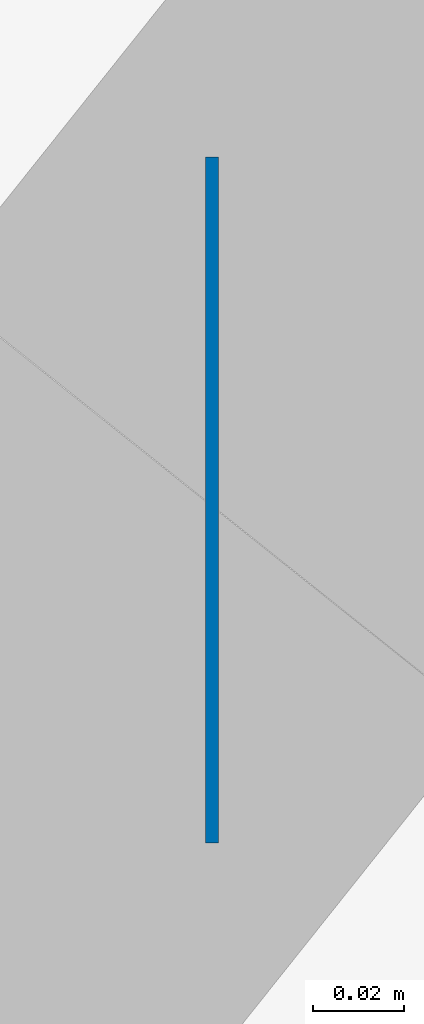
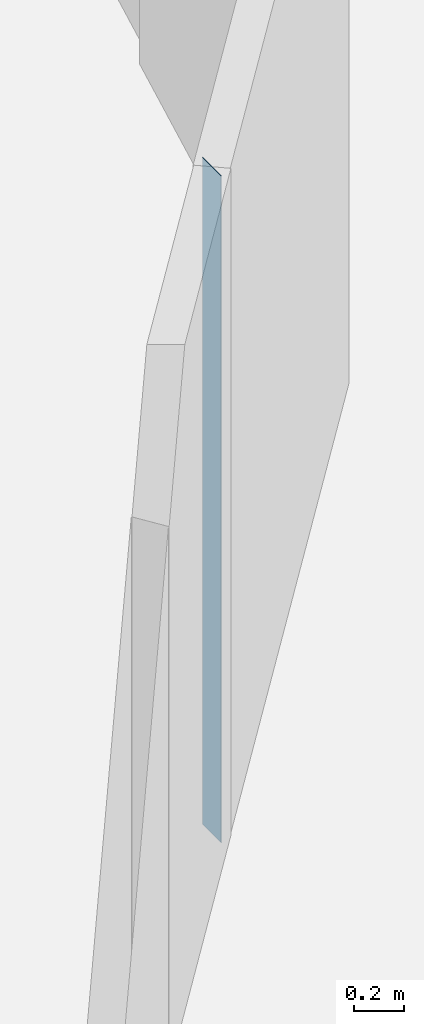
# One storey, part 4 of 12: 1 wall.
"""IFC4 building model written with IfcOpenShell, lengths in metres."""

from ifc_helpers import new_model, si_unit, direction, frame, frame_2d, origin, place, context, subcontext, project, spatial, rectangle, extrude, material, layer, layer_set, type_object, element, save


model = new_model("IFC4")

# Units and contexts
model_context = context("Model", 3, precision=1e-05, world=origin(), true_north=direction((0.0, 1.0)))
body_context = subcontext(model_context, "Body", "Model", "MODEL_VIEW")
ifc_project = project(units=[si_unit("LENGTHUNIT", "METRE"), si_unit("AREAUNIT", "SQUARE_METRE"), si_unit("VOLUMEUNIT", "CUBIC_METRE"), si_unit("PLANEANGLEUNIT", "RADIAN"), si_unit("MASSUNIT", "GRAM", prefix="KILO")], contexts=[model_context])

# Site, building, storey
site_placement = place(None, origin())
site = spatial("IfcSite", under=ifc_project, at=site_placement, CompositionType="ELEMENT")
building_placement = place(site_placement, origin())
building = spatial("IfcBuilding", under=site, at=building_placement, Name="Tracery Tower", CompositionType="ELEMENT")
storey_placement = place(building_placement, frame((0.0, 0.0, 241.800048828125)))
storey = spatial("IfcBuildingStorey", under=building, at=storey_placement, Name="L62", CompositionType="ELEMENT", Elevation=241.800048828125)

# Wall
ifc_material = material(Name="Plasterboard on steel studs", Category="steel")
ifc_layer = layer(ifc_material, 0.14990234375)
ifc_layer_set = layer_set([ifc_layer], Name="Partition 150 corridor wall")
wall_type = type_object("IfcWallType", Name="Partition 150 corridor wall", PredefinedType="PARTITIONING", material=ifc_layer_set)
wall_placement = place(storey_placement, frame((11.136962890625, -8.800048828125, 0.0), z_axis=(0.0, 0.0, 1.0), x_axis=(-1.0, 0.0, 0.0)))
element("IfcWall", 1, at=wall_placement, inside=storey, type_object=wall_type, Name="Corridor wall RC2-018", PredefinedType="PARTITIONING", context=body_context, shape_type="SweptSolid", body=[
    extrude(rectangle(XDim=0.0029296875, YDim=0.14990234375, at=frame_2d((0.00146484375, 0.0))), origin(), (0.0, 0.0, 1.0), 3.25),
])

save(model, "model.ifc")
